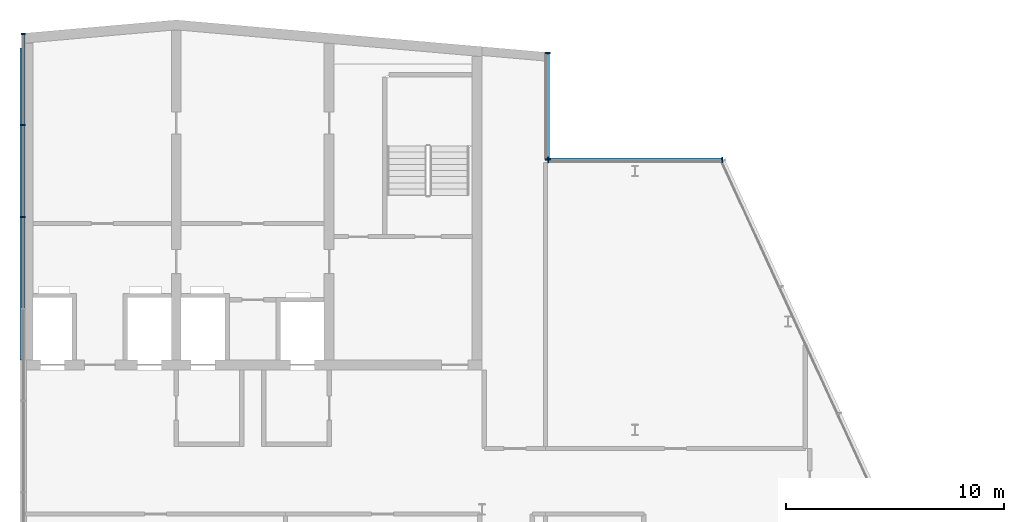
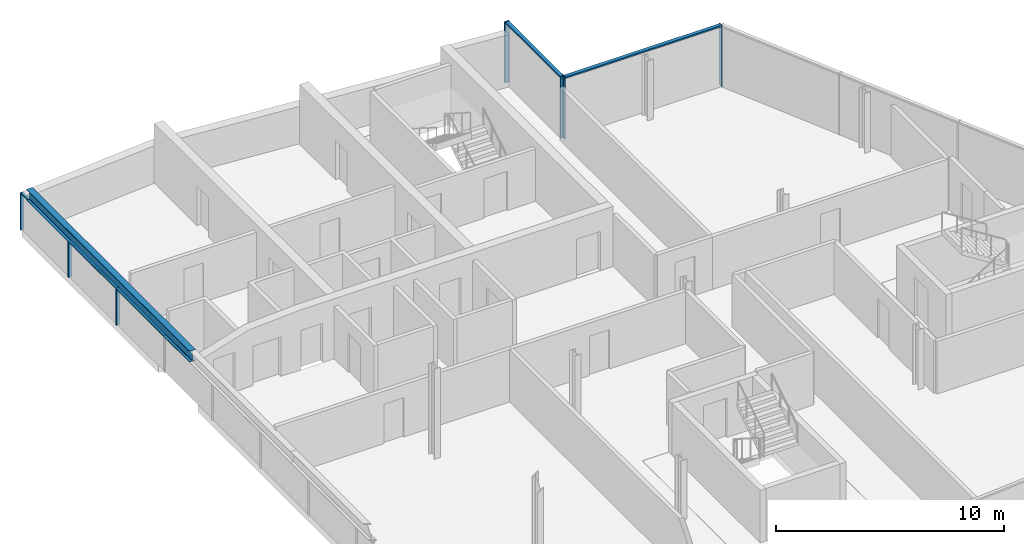
# One storey, part 6 of 13: 12 members, 1 beam, 3 elements without a shape of their own.
"""IFC4 building model written with IfcOpenShell, lengths in metres."""

import ifcopenshell
import ifcopenshell.guid

model = None  # the IFC model being written
_history = None  # IfcOwnerHistory: only IFC2X3 demands one
_inside = {}  # id of a spatial element -> (the spatial element, [elements in it])
_under = {}  # id of a project, library or spatial element -> (it, [spatial elements below it])
_declared = {}  # id of a project -> (the project, [libraries it declares])
_typed = {}  # id of a type object -> (the type object, [elements of that type])
_made_of = {}  # id of a material, layer set ... -> (it, [elements and type objects made of it])


def new_model(schema):
    """Start an empty IFC model of exactly this schema.

    Asked for "IFC4X3", IfcOpenShell would pick the latest addendum, in which some entities
    have other attributes; the version numbers below select the first issue.
    IFC2X3 requires an IfcOwnerHistory on every rooted entity: one is made here for all.
    """
    global model, _history
    if schema == "IFC4X3":
        model = ifcopenshell.file(schema_version=(4, 3, 0, 0))
    else:
        model = ifcopenshell.file(schema=schema)
    _inside.clear()
    _under.clear()
    _declared.clear()
    _typed.clear()
    _made_of.clear()
    _history = None
    if model.schema == "IFC2X3":
        org = make("IfcOrganization", Name="unknown")
        user = make(
            "IfcPersonAndOrganization",
            ThePerson=make("IfcPerson", FamilyName="unknown"),
            TheOrganization=org,
        )
        app = make(
            "IfcApplication",
            ApplicationDeveloper=org,
            Version="unknown",
            ApplicationFullName="unknown",
            ApplicationIdentifier="unknown",
        )
        _history = make(
            "IfcOwnerHistory",
            OwningUser=user,
            OwningApplication=app,
            ChangeAction="ADDED",
            CreationDate=0,
        )
    return model


def make(cls, **values):
    """One entity of the class cls with the attributes given. An attribute that is None is left unset."""
    return model.create_entity(
        cls, **{name: value for name, value in values.items() if value is not None}
    )


def rooted(cls, **values):
    """An entity with a GlobalId (a new one), such as an element, a storey or a relation."""
    return make(cls, GlobalId=ifcopenshell.guid.new(), OwnerHistory=_history, **values)


def si_unit(unit_type, name, prefix=None):
    """IfcSIUnit, for example si_unit("LENGTHUNIT", "METRE", prefix="MILLI")."""
    return make("IfcSIUnit", UnitType=unit_type, Prefix=prefix, Name=name)


def assignment(units):
    """IfcUnitAssignment: the units of a project."""
    return None if units is None else make("IfcUnitAssignment", Units=units)


def point(xyz):
    """IfcCartesianPoint."""
    return None if xyz is None else make("IfcCartesianPoint", Coordinates=xyz)


def direction(xyz):
    """IfcDirection."""
    return None if xyz is None else make("IfcDirection", DirectionRatios=xyz)


def frame(location, z_axis=None, x_axis=None):
    """IfcAxis2Placement3D, a coordinate frame: its origin and axes. An axis left out is left unset."""
    return make(
        "IfcAxis2Placement3D",
        Location=point(location),
        Axis=direction(z_axis),
        RefDirection=direction(x_axis),
    )


def frame_2d(location, x_axis=None):
    """IfcAxis2Placement2D, a coordinate frame in the plane: its origin and x axis."""
    return make(
        "IfcAxis2Placement2D", Location=point(location), RefDirection=direction(x_axis)
    )


def origin():
    """The frame at (0, 0, 0) with its axes left unset."""
    return frame((0.0, 0.0, 0.0))


def origin_2d():
    """The frame at (0, 0) in the plane with its x axis left unset."""
    return frame_2d((0.0, 0.0))


def place(relative_to, where):
    """IfcLocalPlacement: puts the frame where relative to a parent placement (None: the world)."""
    return make(
        "IfcLocalPlacement", PlacementRelTo=relative_to, RelativePlacement=where
    )


def context(
    kind, dimensions, precision=None, world=None, true_north=None, identifier=None
):
    """IfcGeometricRepresentationContext, for example the 3D "Model" context."""
    return make(
        "IfcGeometricRepresentationContext",
        ContextIdentifier=identifier,
        ContextType=kind,
        CoordinateSpaceDimension=dimensions,
        Precision=precision,
        WorldCoordinateSystem=world,
        TrueNorth=true_north,
    )


def subcontext(parent, identifier, kind, view, scale=None):
    """IfcGeometricRepresentationSubContext, for example "Body" below "Model"."""
    return make(
        "IfcGeometricRepresentationSubContext",
        ContextIdentifier=identifier,
        ContextType=kind,
        ParentContext=parent,
        TargetScale=scale,
        TargetView=view,
    )


def project(units=None, contexts=None):
    """IfcProject with its units and contexts."""
    return rooted(
        "IfcProject",
        Name="project",
        RepresentationContexts=contexts,
        UnitsInContext=assignment(units),
    )


def spatial(cls, under=None, at=None, **own):
    """A site, building, storey or space (cls), placed at a placement, below another one or the project."""
    s = rooted(cls, ObjectPlacement=at, **own)
    if under is not None:
        _under.setdefault(under.id(), (under, []))[1].append(s)
    return s


def profile(cls, at=None, kind="AREA", **sizes):
    """A parametric profile (cls). Its sizes go by their IFC names, for example OverallWidth=200.0."""
    return make(cls, ProfileType=kind, Position=at, **sizes)


def rectangle(**sizes):
    """IfcRectangleProfileDef."""
    return profile("IfcRectangleProfileDef", **sizes)


def i_section(**sizes):
    """IfcIShapeProfileDef."""
    return profile("IfcIShapeProfileDef", **sizes)


def extrude(swept, where, along, depth):
    """IfcExtrudedAreaSolid: the profile swept, set in the frame where, extruded along a direction by depth."""
    return make(
        "IfcExtrudedAreaSolid",
        SweptArea=swept,
        Position=where,
        ExtrudedDirection=direction(along),
        Depth=depth,
    )


def shape(context_of_items, identifier, shape_type, items):
    """IfcShapeRepresentation: the items that make up one representation, for example the "Body"."""
    return make(
        "IfcShapeRepresentation",
        ContextOfItems=context_of_items,
        RepresentationIdentifier=identifier,
        RepresentationType=shape_type,
        Items=items,
    )


def material(Name=None, Category=None):
    """IfcMaterial."""
    return make("IfcMaterial", Name=Name, Category=Category)


def material_profile(
    of_material, cross_section, Name=None, Category=None, Priority=None
):
    """IfcMaterialProfile: a cross section and its material."""
    return make(
        "IfcMaterialProfile",
        Name=Name,
        Material=of_material,
        Profile=cross_section,
        Priority=Priority,
        Category=Category,
    )


def profile_set(profiles, Name=None, composite=None):
    """IfcMaterialProfileSet."""
    return make(
        "IfcMaterialProfileSet",
        Name=Name,
        MaterialProfiles=profiles,
        CompositeProfile=composite,
    )


def made_of(thing, what):
    """Note that an element or type object is made of a material, layer set ...; save() writes the relation."""
    if what is not None:
        _made_of.setdefault(what.id(), (what, []))[1].append(thing)
    return thing


def type_object(cls, material=None, **own):
    """A type object (cls), such as IfcWallType, which elements share."""
    return made_of(rooted(cls, **own), material)


def element(
    cls,
    number,
    at=None,
    inside=None,
    cuts=None,
    type_object=None,
    material=None,
    context=None,
    identifier="Body",
    shape_type=None,
    held_by="IfcProductDefinitionShape",
    body=None,
    shapes=None,
    **own,
):
    """One element of the class cls, such as IfcWall. Its Tag is "e" and its number.

    at: its placement. inside: the storey or other place that contains it. cuts: it is an
    opening in that element (IfcRelVoidsElement). A single representation is given by context,
    identifier, shape_type and body (its items); several are given by shapes. held_by: the class
    of the entity that holds the representations. save() writes the other relations.
    """
    e = rooted(cls, Tag="e%d" % number, ObjectPlacement=at, **own)
    if body is not None:
        shapes = [shape(context, identifier, shape_type, body)]
    if shapes is not None:
        e.Representation = make(held_by, Representations=shapes)
    if inside is not None:
        _inside.setdefault(inside.id(), (inside, []))[1].append(e)
    if cuts is not None:
        rooted(
            "IfcRelVoidsElement", RelatingBuildingElement=cuts, RelatedOpeningElement=e
        )
    if type_object is not None:
        _typed.setdefault(type_object.id(), (type_object, []))[1].append(e)
    return made_of(e, material)


def aggregate(whole, parts):
    """IfcRelAggregates: a whole, such as a stair, and the parts it consists of."""
    return rooted("IfcRelAggregates", RelatingObject=whole, RelatedObjects=parts)


def save(model, path):
    """Write the relations noted so far, then the file.

    IfcRelAggregates (storeys below a building ...), IfcRelContainedInSpatialStructure (elements
    in a storey), IfcRelDefinesByType, IfcRelAssociatesMaterial and IfcRelDeclares: one each for
    every whole, place, type object, material and project.
    """
    for whole, parts in _under.values():
        aggregate(whole, parts)
    for where, things in _inside.values():
        rooted(
            "IfcRelContainedInSpatialStructure",
            RelatedElements=things,
            RelatingStructure=where,
        )
    for kind, things in _typed.values():
        rooted("IfcRelDefinesByType", RelatedObjects=things, RelatingType=kind)
    for what, things in _made_of.values():
        rooted("IfcRelAssociatesMaterial", RelatedObjects=things, RelatingMaterial=what)
    for by, libraries in _declared.values():
        rooted("IfcRelDeclares", RelatingContext=by, RelatedDefinitions=libraries)
    model.write(path)


model = new_model("IFC4")

# Units and contexts
model_context = context("Model", 3, precision=1e-05, world=origin(), true_north=direction((0.0, 1.0)))
body_context = subcontext(model_context, "Body", "Model", "MODEL_VIEW")
ifc_project = project(units=[si_unit("LENGTHUNIT", "METRE"), si_unit("AREAUNIT", "SQUARE_METRE"), si_unit("VOLUMEUNIT", "CUBIC_METRE"), si_unit("PLANEANGLEUNIT", "RADIAN"), si_unit("MASSUNIT", "GRAM", prefix="KILO")], contexts=[model_context])

# Site, building, storey
site_placement = place(None, origin())
site = spatial("IfcSite", under=ifc_project, at=site_placement, CompositionType="ELEMENT")
building_placement = place(site_placement, origin())
building = spatial("IfcBuilding", under=site, at=building_placement, Name="Wharfspan Tower", CompositionType="ELEMENT")
storey_placement = place(building_placement, frame((0.0, 0.0, 264.300049)))
storey = spatial("IfcBuildingStorey", under=building, at=storey_placement, Name="L67", CompositionType="ELEMENT", Elevation=264.300049)

# Curtain wall, members
ifc_material_1 = material(Name="Aluminium 6063-T6", Category="aluminium")
curtain_wall_type_1 = type_object("IfcCurtainWallType", Name="CURTAIN WALL CROWN GABLE", PredefinedType="NOTDEFINED", material=ifc_material_1)
curtain_wall_1_placement = place(storey_placement, origin())
curtain_wall_1 = element("IfcCurtainWall", 1, at=curtain_wall_1_placement, inside=storey, type_object=curtain_wall_type_1, Name="Crown gable glazing", PredefinedType="NOTDEFINED")
ifc_material_profile_1 = material_profile(ifc_material_1, rectangle(XDim=0.179932, YDim=0.060059, at=origin_2d()))
ifc_profile_set_1 = profile_set([ifc_material_profile_1], Name="Aluminium 6063-T6")
member_type_1 = type_object("IfcMemberType", Name="MULLION CROWN GABLE 60x180", PredefinedType="MULLION", material=ifc_profile_set_1)
member_1_placement = place(storey_placement, frame((30.0, 41.0, 0.0), z_axis=(0.0, 0.0, 1.0), x_axis=(-1.0, 0.0, 0.0)))
member_1 = element("IfcMember", 2, at=member_1_placement, type_object=member_type_1, Name="Crown gable glazing mullion 9", PredefinedType="MULLION", context=body_context, shape_type="SweptSolid", body=[
    extrude(rectangle(XDim=0.179932, YDim=0.060059, at=origin_2d()), origin(), (0.0, 0.0, 1.0), 1.98877),
])
member_2_placement = place(storey_placement, frame((30.0, 45.199951, 0.0), z_axis=(0.0, 0.0, 1.0), x_axis=(-1.0, 0.0, 0.0)))
member_2 = element("IfcMember", 3, at=member_2_placement, type_object=member_type_1, Name="Crown gable glazing mullion 10", PredefinedType="MULLION", context=body_context, shape_type="SweptSolid", body=[
    extrude(rectangle(XDim=0.179932, YDim=0.060059, at=origin_2d()), origin(), (0.0, 0.0, 1.0), 1.98877),
])
member_3_placement = place(storey_placement, frame((30.0, 49.369873, 0.0), z_axis=(0.0, 0.0, 1.0), x_axis=(-1.0, 0.0, 0.0)))
member_3 = element("IfcMember", 4, at=member_3_placement, type_object=member_type_1, Name="Crown gable glazing mullion 11", PredefinedType="MULLION", context=body_context, shape_type="SweptSolid", body=[
    extrude(rectangle(XDim=0.179932, YDim=0.060059, at=origin_2d()), origin(), (0.0, 0.0, 1.0), 1.98877),
])

curtain_wall_type_2 = type_object("IfcCurtainWallType", Name="CURTAIN WALL PROW AND END", PredefinedType="NOTDEFINED", material=ifc_material_1)
curtain_wall_2_placement = place(storey_placement, origin())
curtain_wall_2 = element("IfcCurtainWall", 5, at=curtain_wall_2_placement, inside=storey, type_object=curtain_wall_type_2, Name="Crown curtain wall NRE-H", PredefinedType="NOTDEFINED")
ifc_material_profile_2 = material_profile(ifc_material_1, rectangle(XDim=0.23999, YDim=0.060059, at=origin_2d()))
ifc_profile_set_2 = profile_set([ifc_material_profile_2], Name="Aluminium 6063-T6")
member_type_2 = type_object("IfcMemberType", Name="MULLION PROW AND END 60x240", PredefinedType="MULLION", material=ifc_profile_set_2)
member_4_placement = place(storey_placement, frame((61.990479, 43.600098, 0.0), z_axis=(0.0, 0.0, 1.0), x_axis=(0.0, -1.0, 0.0)))
member_4 = element("IfcMember", 6, at=member_4_placement, type_object=member_type_2, Name="Crown curtain wall NRE-H mullion 1", PredefinedType="MULLION", context=body_context, shape_type="SweptSolid", body=[
    extrude(rectangle(XDim=0.23999, YDim=0.060059, at=origin_2d()), origin(), (0.0, 0.0, 1.0), 3.264404),
])
member_5_placement = place(storey_placement, frame((54.030029, 43.600098, 0.0), z_axis=(0.0, 0.0, 1.0), x_axis=(0.0, -1.0, 0.0)))
member_5 = element("IfcMember", 7, at=member_5_placement, type_object=member_type_2, Name="Crown curtain wall NRE-H mullion 2", PredefinedType="MULLION", context=body_context, shape_type="SweptSolid", body=[
    extrude(rectangle(XDim=0.23999, YDim=0.060059, at=origin_2d()), origin(), (0.0, 0.0, 1.0), 3.264404),
])

curtain_wall_3_placement = place(storey_placement, origin())
curtain_wall_3 = element("IfcCurtainWall", 8, at=curtain_wall_3_placement, inside=storey, type_object=curtain_wall_type_2, Name="Crown curtain wall NRE-V", PredefinedType="NOTDEFINED")
member_6_placement = place(storey_placement, frame((54.0, 43.629883, 0.0), z_axis=(0.0, 0.0, 1.0), x_axis=(-1.0, 0.0, 0.0)))
member_6 = element("IfcMember", 9, at=member_6_placement, type_object=member_type_2, Name="Crown curtain wall NRE-V mullion 1", PredefinedType="MULLION", context=body_context, shape_type="SweptSolid", body=[
    extrude(rectangle(XDim=0.23999, YDim=0.060059, at=origin_2d()), origin(), (0.0, 0.0, 1.0), 3.264404),
])
member_7_placement = place(storey_placement, frame((54.0, 48.494873, 0.0), z_axis=(0.0, 0.0, 1.0), x_axis=(-1.0, 0.0, 0.0)))
member_7 = element("IfcMember", 10, at=member_7_placement, type_object=member_type_2, Name="Crown curtain wall NRE-V mullion 2", PredefinedType="MULLION", context=body_context, shape_type="SweptSolid", body=[
    extrude(rectangle(XDim=0.23999, YDim=0.060059, at=origin_2d()), origin(), (0.0, 0.0, 1.0), 3.264404),
])

# Beam
ifc_material_2 = material(Name="Steel S355J2", Category="steel")
ifc_material_profile_3 = material_profile(ifc_material_2, i_section(OverallWidth=0.300049, OverallDepth=0.600098, WebThickness=0.015381, FlangeThickness=0.030029, FilletRadius=0.0271, at=origin_2d()))
ifc_profile_set_3 = profile_set([ifc_material_profile_3], Name="Steel S355J2")
beam_type = type_object("IfcBeamType", Name="Roof girder HEB 600", PredefinedType="BEAM", material=ifc_profile_set_3)
beam_placement = place(storey_placement, frame((30.0, 34.449951, 2.293701), z_axis=(0.0, 1.0, 0.0), x_axis=(-1.0, 0.0, 0.0)))
element("IfcBeam", 11, at=beam_placement, inside=storey, type_object=beam_type, Name="Roof girder G2 34 to 49", PredefinedType="BEAM", context=body_context, shape_type="SweptSolid", body=[
    extrude(i_section(OverallWidth=0.300049, OverallDepth=0.600098, WebThickness=0.015381, FlangeThickness=0.030029, FilletRadius=0.0271, at=origin_2d()), origin(), (0.0, 0.0, 1.0), 14.276123),
])

# Member
ifc_material_profile_4 = material_profile(ifc_material_1, rectangle(XDim=0.139893, YDim=0.070068, at=origin_2d()))
ifc_profile_set_4 = profile_set([ifc_material_profile_4], Name="Aluminium 6063-T6")
member_type_3 = type_object("IfcMemberType", Name="TRANSOM CROWN GABLE 70x140", PredefinedType="USERDEFINED", material=ifc_profile_set_4)
member_8_placement = place(storey_placement, frame((30.0, 36.829834, 1.953613), z_axis=(0.0, 1.0, 0.0), x_axis=(-1.0, 0.0, 0.0)))
member_8 = element("IfcMember", 12, at=member_8_placement, type_object=member_type_3, Name="Crown gable glazing transom 8", ObjectType="TRANSOM", PredefinedType="USERDEFINED", context=body_context, shape_type="SweptSolid", body=[
    extrude(rectangle(XDim=0.139893, YDim=0.070068, at=origin_2d()), origin(), (0.0, 0.0, 1.0), 4.140137),
])

member_9_placement = place(storey_placement, frame((30.0, 41.029785, 1.953613), z_axis=(0.0, 1.0, 0.0), x_axis=(-1.0, 0.0, 0.0)))
member_9 = element("IfcMember", 13, at=member_9_placement, type_object=member_type_3, Name="Crown gable glazing transom 9", ObjectType="TRANSOM", PredefinedType="USERDEFINED", context=body_context, shape_type="SweptSolid", body=[
    extrude(rectangle(XDim=0.139893, YDim=0.070068, at=origin_2d()), origin(), (0.0, 0.0, 1.0), 4.140137),
])

member_10_placement = place(storey_placement, frame((30.0, 45.229736, 1.953613), z_axis=(0.0, 1.0, 0.0), x_axis=(-1.0, 0.0, 0.0)))
member_10 = element("IfcMember", 14, at=member_10_placement, type_object=member_type_3, Name="Crown gable glazing transom 10", ObjectType="TRANSOM", PredefinedType="USERDEFINED", context=body_context, shape_type="SweptSolid", body=[
    extrude(rectangle(XDim=0.139893, YDim=0.070068, at=origin_2d()), origin(), (0.0, 0.0, 1.0), 4.110107),
])

aggregate(curtain_wall_1, [member_1, member_2, member_3, member_8, member_9, member_10])

ifc_material_profile_5 = material_profile(ifc_material_1, rectangle(XDim=0.179932, YDim=0.080078, at=origin_2d()))
ifc_profile_set_5 = profile_set([ifc_material_profile_5], Name="Aluminium 6063-T6")
member_type_4 = type_object("IfcMemberType", Name="TRANSOM PROW AND END 80x180", PredefinedType="USERDEFINED", material=ifc_profile_set_5)
member_11_placement = place(storey_placement, frame((61.960449, 43.600098, 3.224365), z_axis=(-1.0, 0.0, 0.0), x_axis=(0.0, -1.0, 0.0)))
member_11 = element("IfcMember", 15, at=member_11_placement, type_object=member_type_4, Name="Crown curtain wall NRE-H transom 1", ObjectType="TRANSOM", PredefinedType="USERDEFINED", context=body_context, shape_type="SweptSolid", body=[
    extrude(rectangle(XDim=0.179932, YDim=0.080078, at=origin_2d()), origin(), (0.0, 0.0, 1.0), 7.900391),
])

aggregate(curtain_wall_2, [member_4, member_5, member_11])

member_12_placement = place(storey_placement, frame((54.0, 43.659912, 3.224365), z_axis=(0.0, 1.0, 0.0), x_axis=(-1.0, 0.0, 0.0)))
member_12 = element("IfcMember", 16, at=member_12_placement, type_object=member_type_4, Name="Crown curtain wall NRE-V transom 1", ObjectType="TRANSOM", PredefinedType="USERDEFINED", context=body_context, shape_type="SweptSolid", body=[
    extrude(rectangle(XDim=0.179932, YDim=0.080078, at=origin_2d()), origin(), (0.0, 0.0, 1.0), 4.804932),
])

aggregate(curtain_wall_3, [member_6, member_7, member_12])

save(model, "model.ifc")
